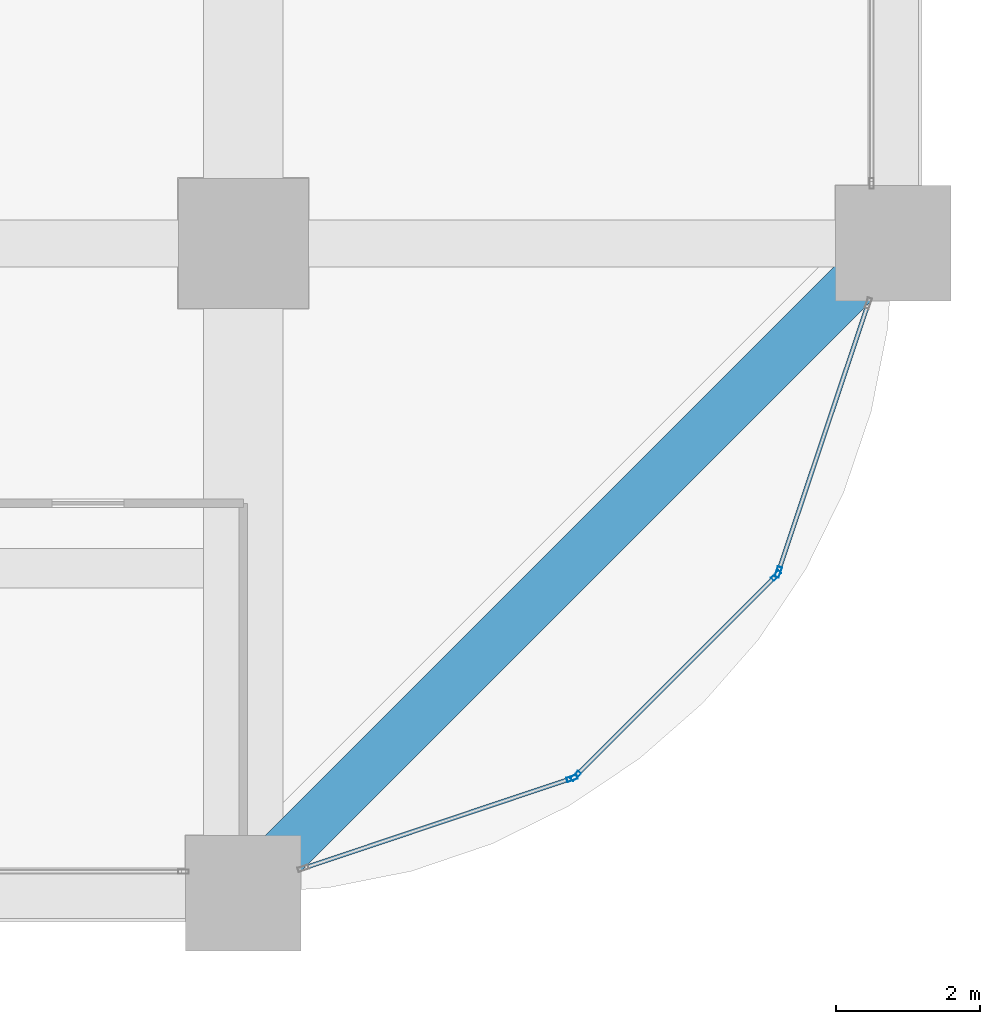
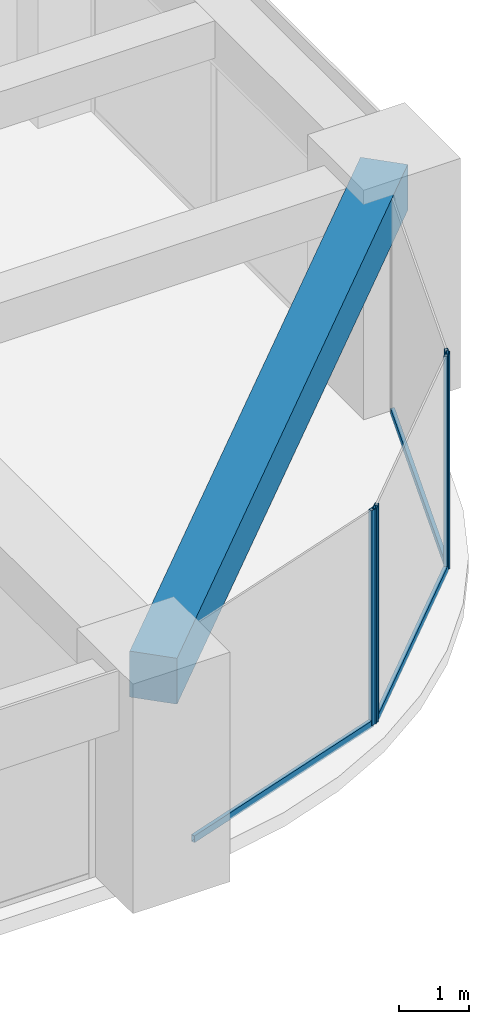
# One storey, part 17 of 40: 7 members, 1 beam, 3 elements without a shape of their own.
"""IFC4 building model written with IfcOpenShell, lengths in metres."""

from ifc_helpers import new_model, si_unit, direction, frame, origin, origin_2d, place, context, subcontext, project, spatial, rectangle, hollow_rectangle, extrude, material, material_profile, profile_set, type_object, element, aggregate, save


model = new_model("IFC4")

# Units and contexts
model_context = context("Model", 3, precision=1e-05, world=origin(), true_north=direction((0.0, 1.0)))
body_context = subcontext(model_context, "Body", "Model", "MODEL_VIEW")
ifc_project = project(units=[si_unit("LENGTHUNIT", "METRE"), si_unit("AREAUNIT", "SQUARE_METRE"), si_unit("VOLUMEUNIT", "CUBIC_METRE"), si_unit("PLANEANGLEUNIT", "RADIAN"), si_unit("MASSUNIT", "GRAM", prefix="KILO")], contexts=[model_context])

# Site, building, storey
site_placement = place(None, origin())
site = spatial("IfcSite", under=ifc_project, at=site_placement, CompositionType="ELEMENT")
building_placement = place(site_placement, origin())
building = spatial("IfcBuilding", under=site, at=building_placement, Name="Zorevar Civic Tower", CompositionType="ELEMENT")
storey_placement = place(building_placement, frame((0.0, 0.0, 129.0)))
storey = spatial("IfcBuildingStorey", under=building, at=storey_placement, Name="L31", CompositionType="ELEMENT", Elevation=129.0)

# Curtain wall, member
ifc_material_1 = material(Name="Dark grey solar-control glass in black aluminium frame", Category="aluminium")
curtain_wall_type = type_object("IfcCurtainWallType", Name="Curtain wall CW3 mid zone", PredefinedType="NOTDEFINED", material=ifc_material_1)
curtain_wall_1_placement = place(storey_placement, origin())
curtain_wall_1 = element("IfcCurtainWall", 1, at=curtain_wall_1_placement, inside=storey, type_object=curtain_wall_type, Name="CW3 L31", PredefinedType="NOTDEFINED")
ifc_material_2 = material(Name="Aluminium, black anodised", Category="aluminium")
ifc_material_profile_1 = material_profile(ifc_material_2, hollow_rectangle(XDim=0.06005859375, YDim=0.14990234375, WallThickness=0.00390625, at=origin_2d()), Name="AL 150x60x4")
ifc_profile_set_1 = profile_set([ifc_material_profile_1], Name="Aluminium, black anodised")
member_type_1 = type_object("IfcMemberType", Name="CW3 mullion AL 150x60x4", PredefinedType="MULLION", material=ifc_profile_set_1)
member_1_placement = place(storey_placement, frame((58.55078125, 1.59326171875, 0.0), z_axis=(0.0, 0.0, 1.0), x_axis=(-0.317592669603, 0.948227238701, 0.0)))
member_1 = element("IfcMember", 2, at=member_1_placement, type_object=member_type_1, Name="CW3 mullion 2", PredefinedType="MULLION", context=body_context, shape_type="SweptSolid", body=[
    extrude(hollow_rectangle(XDim=0.06005859375, YDim=0.14990234375, WallThickness=0.00390625, at=origin_2d()), origin(), (0.0, 0.0, 1.0), 3.75),
])

# Curtain wall, members
curtain_wall_2_placement = place(storey_placement, origin())
curtain_wall_2 = element("IfcCurtainWall", 3, at=curtain_wall_2_placement, inside=storey, type_object=curtain_wall_type, Name="CW3 L31", PredefinedType="NOTDEFINED")
member_2_placement = place(storey_placement, frame((58.600341796875, 1.6240234375, 0.0), z_axis=(0.0, 0.0, 1.0), x_axis=(-0.707106781187, 0.707106781187, 0.0)))
member_2 = element("IfcMember", 4, at=member_2_placement, type_object=member_type_1, Name="CW3 mullion 1", PredefinedType="MULLION", context=body_context, shape_type="SweptSolid", body=[
    extrude(hollow_rectangle(XDim=0.06005859375, YDim=0.14990234375, WallThickness=0.00390625, at=origin_2d()), origin(), (0.0, 0.0, 1.0), 3.75),
])
member_3_placement = place(storey_placement, frame((61.3759765625, 4.399658203125, 0.0), z_axis=(0.0, 0.0, 1.0), x_axis=(-0.707106781187, 0.707106781187, 0.0)))
member_3 = element("IfcMember", 5, at=member_3_placement, type_object=member_type_1, Name="CW3 mullion 2", PredefinedType="MULLION", context=body_context, shape_type="SweptSolid", body=[
    extrude(hollow_rectangle(XDim=0.06005859375, YDim=0.14990234375, WallThickness=0.00390625, at=origin_2d()), origin(), (0.0, 0.0, 1.0), 3.75),
])

# Curtain wall, member
curtain_wall_3_placement = place(storey_placement, origin())
curtain_wall_3 = element("IfcCurtainWall", 6, at=curtain_wall_3_placement, inside=storey, type_object=curtain_wall_type, Name="CW3 L31", PredefinedType="NOTDEFINED")
member_4_placement = place(storey_placement, frame((61.40673828125, 4.44921875, 0.0), z_axis=(0.0, 0.0, 1.0), x_axis=(-0.948227238701, 0.317592669603, 0.0)))
member_4 = element("IfcMember", 7, at=member_4_placement, type_object=member_type_1, Name="CW3 mullion 1", PredefinedType="MULLION", context=body_context, shape_type="SweptSolid", body=[
    extrude(hollow_rectangle(XDim=0.06005859375, YDim=0.14990234375, WallThickness=0.00390625, at=origin_2d()), origin(), (0.0, 0.0, 1.0), 3.75),
])

# Member
ifc_material_3 = material(Name="Aluminium, black anodised", Category="aluminium")
ifc_material_profile_2 = material_profile(ifc_material_3, hollow_rectangle(XDim=0.06005859375, YDim=0.1201171875, WallThickness=0.0029296875, at=origin_2d()), Name="AL 120x60x3")
ifc_profile_set_2 = profile_set([ifc_material_profile_2], Name="Aluminium, black anodised")
member_type_2 = type_object("IfcMemberType", Name="CW3 transom AL 120x60x3", PredefinedType="USERDEFINED", material=ifc_profile_set_2)
member_5_placement = place(storey_placement, frame((54.85693359375, 0.35595703125, 0.030029296875), z_axis=(0.94821488093, 0.317629563458, 0.0), x_axis=(-0.317629563458, 0.94821488093, 0.0)))
member_5 = element("IfcMember", 8, at=member_5_placement, type_object=member_type_2, Name="CW3 sill transom", ObjectType="TRANSOM", PredefinedType="USERDEFINED", context=body_context, shape_type="SweptSolid", body=[
    extrude(hollow_rectangle(XDim=0.06005859375, YDim=0.1201171875, WallThickness=0.0029296875, at=origin_2d()), origin(), (0.0, 0.0, 1.0), 3.865478515625),
])

aggregate(curtain_wall_1, [member_1, member_5])

member_6_placement = place(storey_placement, frame((58.62158203125, 1.64501953125, 0.030029296875), z_axis=(0.707106781187, 0.707106781187, 0.0), x_axis=(-0.707106781187, 0.707106781187, 0.0)))
member_6 = element("IfcMember", 9, at=member_6_placement, type_object=member_type_2, Name="CW3 sill transom", ObjectType="TRANSOM", PredefinedType="USERDEFINED", context=body_context, shape_type="SweptSolid", body=[
    extrude(hollow_rectangle(XDim=0.06005859375, YDim=0.1201171875, WallThickness=0.0029296875, at=origin_2d()), origin(), (0.0, 0.0, 1.0), 3.86572265625),
])

aggregate(curtain_wall_2, [member_2, member_3, member_6])

member_7_placement = place(storey_placement, frame((61.416259765625, 4.477783203125, 0.030029296875), z_axis=(0.317629563458, 0.94821488093, 0.0), x_axis=(-0.94821488093, 0.317629563458, 0.0)))
member_7 = element("IfcMember", 10, at=member_7_placement, type_object=member_type_2, Name="CW3 sill transom", ObjectType="TRANSOM", PredefinedType="USERDEFINED", context=body_context, shape_type="SweptSolid", body=[
    extrude(hollow_rectangle(XDim=0.06005859375, YDim=0.1201171875, WallThickness=0.0029296875, at=origin_2d()), origin(), (0.0, 0.0, 1.0), 3.865478515625),
])

aggregate(curtain_wall_3, [member_4, member_7])

# Beam
ifc_material_4 = material(Name="Concrete C50/60", Category="concrete")
ifc_material_profile_3 = material_profile(ifc_material_4, rectangle(XDim=0.699951171875, YDim=0.800048828125, at=origin_2d()), Name="RC 700x800")
ifc_profile_set_3 = profile_set([ifc_material_profile_3], Name="Concrete C50/60")
beam_type = type_object("IfcBeamType", Name="Edge beam RC 700x800", PredefinedType="SPANDREL", material=ifc_profile_set_3)
beam_placement = place(storey_placement, frame((54.0, 0.0, 3.35009765625), z_axis=(0.707106781187, 0.707106781187, 0.0), x_axis=(-0.707106781187, 0.707106781187, 0.0)))
element("IfcBeam", 11, at=beam_placement, inside=storey, type_object=beam_type, Name="Corner edge beam L32", PredefinedType="SPANDREL", context=body_context, shape_type="SweptSolid", body=[
    extrude(rectangle(XDim=0.699951171875, YDim=0.800048828125, at=origin_2d()), origin(), (0.0, 0.0, 1.0), 12.72802734375),
])

save(model, "model.ifc")
